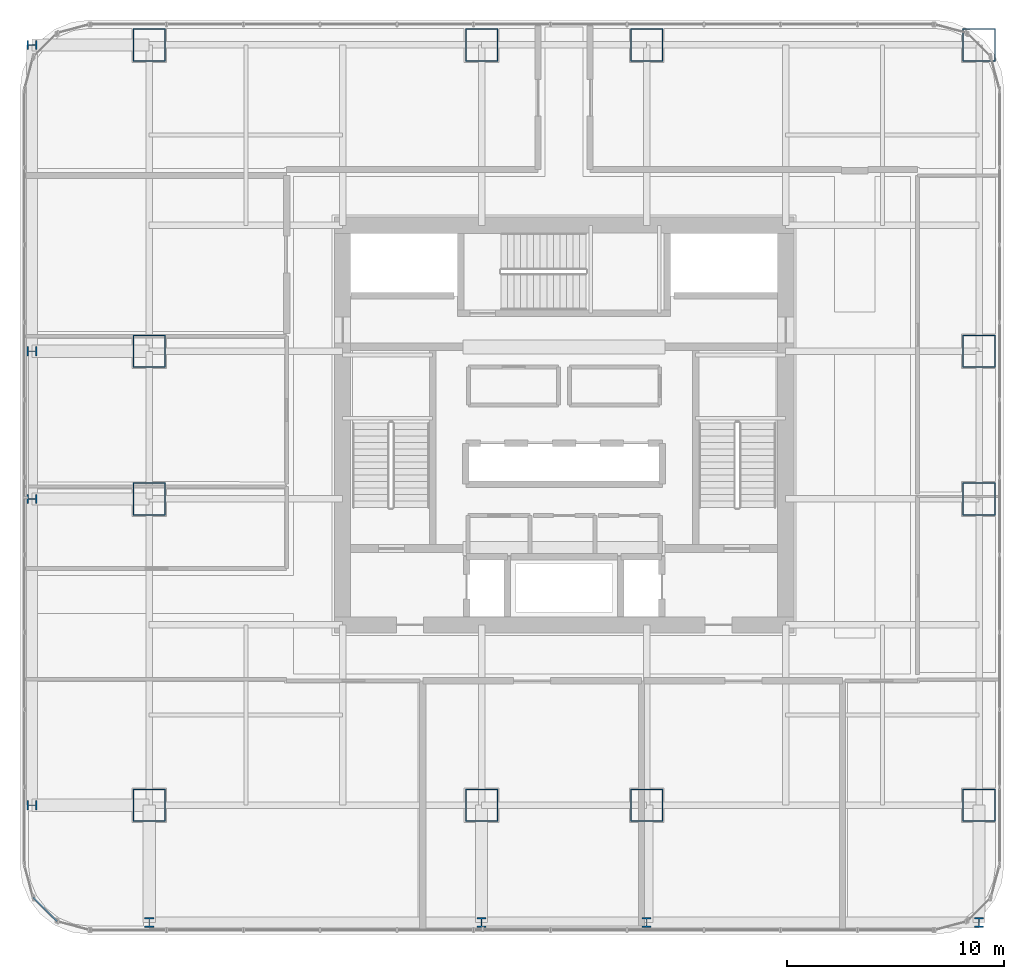
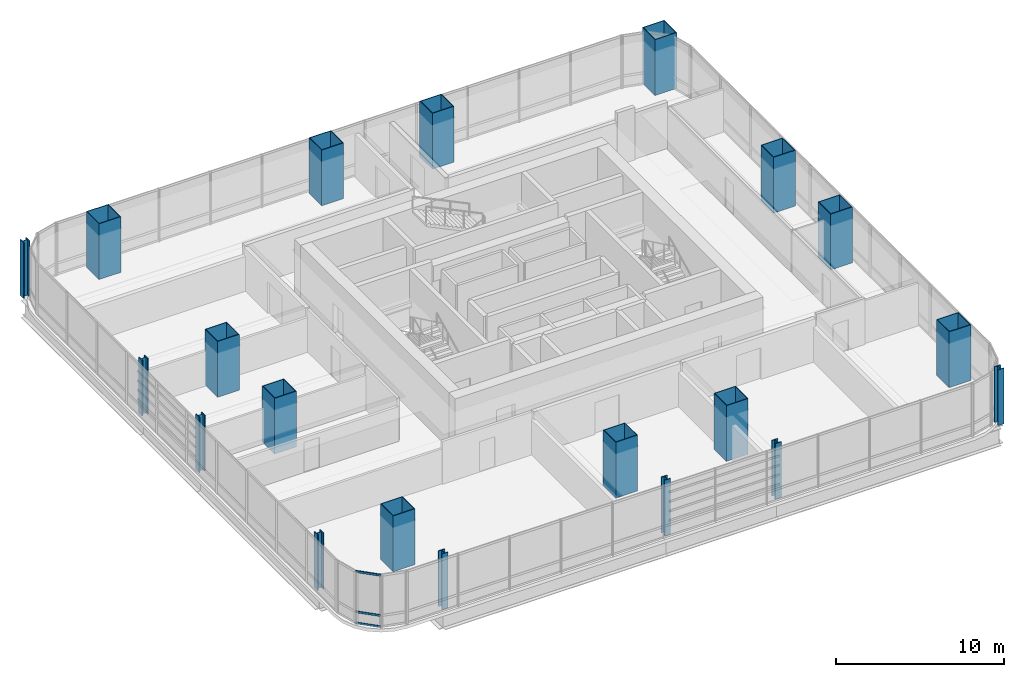
# One storey, part 1 of 36: 20 columns, 3 members, 1 element without a shape of its own.
"""IFC4 building model written with IfcOpenShell, lengths in metres."""

import ifcopenshell
import ifcopenshell.guid

model = None  # the IFC model being written
_history = None  # IfcOwnerHistory: only IFC2X3 demands one
_inside = {}  # id of a spatial element -> (the spatial element, [elements in it])
_under = {}  # id of a project, library or spatial element -> (it, [spatial elements below it])
_declared = {}  # id of a project -> (the project, [libraries it declares])
_typed = {}  # id of a type object -> (the type object, [elements of that type])
_made_of = {}  # id of a material, layer set ... -> (it, [elements and type objects made of it])


def new_model(schema):
    """Start an empty IFC model of exactly this schema.

    Asked for "IFC4X3", IfcOpenShell would pick the latest addendum, in which some entities
    have other attributes; the version numbers below select the first issue.
    IFC2X3 requires an IfcOwnerHistory on every rooted entity: one is made here for all.
    """
    global model, _history
    if schema == "IFC4X3":
        model = ifcopenshell.file(schema_version=(4, 3, 0, 0))
    else:
        model = ifcopenshell.file(schema=schema)
    _inside.clear()
    _under.clear()
    _declared.clear()
    _typed.clear()
    _made_of.clear()
    _history = None
    if model.schema == "IFC2X3":
        org = make("IfcOrganization", Name="unknown")
        user = make(
            "IfcPersonAndOrganization",
            ThePerson=make("IfcPerson", FamilyName="unknown"),
            TheOrganization=org,
        )
        app = make(
            "IfcApplication",
            ApplicationDeveloper=org,
            Version="unknown",
            ApplicationFullName="unknown",
            ApplicationIdentifier="unknown",
        )
        _history = make(
            "IfcOwnerHistory",
            OwningUser=user,
            OwningApplication=app,
            ChangeAction="ADDED",
            CreationDate=0,
        )
    return model


def make(cls, **values):
    """One entity of the class cls with the attributes given. An attribute that is None is left unset."""
    return model.create_entity(
        cls, **{name: value for name, value in values.items() if value is not None}
    )


def rooted(cls, **values):
    """An entity with a GlobalId (a new one), such as an element, a storey or a relation."""
    return make(cls, GlobalId=ifcopenshell.guid.new(), OwnerHistory=_history, **values)


def si_unit(unit_type, name, prefix=None):
    """IfcSIUnit, for example si_unit("LENGTHUNIT", "METRE", prefix="MILLI")."""
    return make("IfcSIUnit", UnitType=unit_type, Prefix=prefix, Name=name)


def assignment(units):
    """IfcUnitAssignment: the units of a project."""
    return None if units is None else make("IfcUnitAssignment", Units=units)


def point(xyz):
    """IfcCartesianPoint."""
    return None if xyz is None else make("IfcCartesianPoint", Coordinates=xyz)


def direction(xyz):
    """IfcDirection."""
    return None if xyz is None else make("IfcDirection", DirectionRatios=xyz)


def frame(location, z_axis=None, x_axis=None):
    """IfcAxis2Placement3D, a coordinate frame: its origin and axes. An axis left out is left unset."""
    return make(
        "IfcAxis2Placement3D",
        Location=point(location),
        Axis=direction(z_axis),
        RefDirection=direction(x_axis),
    )


def frame_2d(location, x_axis=None):
    """IfcAxis2Placement2D, a coordinate frame in the plane: its origin and x axis."""
    return make(
        "IfcAxis2Placement2D", Location=point(location), RefDirection=direction(x_axis)
    )


def origin():
    """The frame at (0, 0, 0) with its axes left unset."""
    return frame((0.0, 0.0, 0.0))


def origin_2d():
    """The frame at (0, 0) in the plane with its x axis left unset."""
    return frame_2d((0.0, 0.0))


def place(relative_to, where):
    """IfcLocalPlacement: puts the frame where relative to a parent placement (None: the world)."""
    return make(
        "IfcLocalPlacement", PlacementRelTo=relative_to, RelativePlacement=where
    )


def context(
    kind, dimensions, precision=None, world=None, true_north=None, identifier=None
):
    """IfcGeometricRepresentationContext, for example the 3D "Model" context."""
    return make(
        "IfcGeometricRepresentationContext",
        ContextIdentifier=identifier,
        ContextType=kind,
        CoordinateSpaceDimension=dimensions,
        Precision=precision,
        WorldCoordinateSystem=world,
        TrueNorth=true_north,
    )


def subcontext(parent, identifier, kind, view, scale=None):
    """IfcGeometricRepresentationSubContext, for example "Body" below "Model"."""
    return make(
        "IfcGeometricRepresentationSubContext",
        ContextIdentifier=identifier,
        ContextType=kind,
        ParentContext=parent,
        TargetScale=scale,
        TargetView=view,
    )


def project(units=None, contexts=None):
    """IfcProject with its units and contexts."""
    return rooted(
        "IfcProject",
        Name="project",
        RepresentationContexts=contexts,
        UnitsInContext=assignment(units),
    )


def spatial(cls, under=None, at=None, **own):
    """A site, building, storey or space (cls), placed at a placement, below another one or the project."""
    s = rooted(cls, ObjectPlacement=at, **own)
    if under is not None:
        _under.setdefault(under.id(), (under, []))[1].append(s)
    return s


def profile(cls, at=None, kind="AREA", **sizes):
    """A parametric profile (cls). Its sizes go by their IFC names, for example OverallWidth=200.0."""
    return make(cls, ProfileType=kind, Position=at, **sizes)


def hollow_rectangle(**sizes):
    """IfcRectangleHollowProfileDef."""
    return profile("IfcRectangleHollowProfileDef", **sizes)


def i_section(**sizes):
    """IfcIShapeProfileDef."""
    return profile("IfcIShapeProfileDef", **sizes)


def extrude(swept, where, along, depth):
    """IfcExtrudedAreaSolid: the profile swept, set in the frame where, extruded along a direction by depth."""
    return make(
        "IfcExtrudedAreaSolid",
        SweptArea=swept,
        Position=where,
        ExtrudedDirection=direction(along),
        Depth=depth,
    )


def shape(context_of_items, identifier, shape_type, items):
    """IfcShapeRepresentation: the items that make up one representation, for example the "Body"."""
    return make(
        "IfcShapeRepresentation",
        ContextOfItems=context_of_items,
        RepresentationIdentifier=identifier,
        RepresentationType=shape_type,
        Items=items,
    )


def material(Name=None, Category=None):
    """IfcMaterial."""
    return make("IfcMaterial", Name=Name, Category=Category)


def material_profile(
    of_material, cross_section, Name=None, Category=None, Priority=None
):
    """IfcMaterialProfile: a cross section and its material."""
    return make(
        "IfcMaterialProfile",
        Name=Name,
        Material=of_material,
        Profile=cross_section,
        Priority=Priority,
        Category=Category,
    )


def profile_set(profiles, Name=None, composite=None):
    """IfcMaterialProfileSet."""
    return make(
        "IfcMaterialProfileSet",
        Name=Name,
        MaterialProfiles=profiles,
        CompositeProfile=composite,
    )


def made_of(thing, what):
    """Note that an element or type object is made of a material, layer set ...; save() writes the relation."""
    if what is not None:
        _made_of.setdefault(what.id(), (what, []))[1].append(thing)
    return thing


def type_object(cls, material=None, **own):
    """A type object (cls), such as IfcWallType, which elements share."""
    return made_of(rooted(cls, **own), material)


def element(
    cls,
    number,
    at=None,
    inside=None,
    cuts=None,
    type_object=None,
    material=None,
    context=None,
    identifier="Body",
    shape_type=None,
    held_by="IfcProductDefinitionShape",
    body=None,
    shapes=None,
    **own,
):
    """One element of the class cls, such as IfcWall. Its Tag is "e" and its number.

    at: its placement. inside: the storey or other place that contains it. cuts: it is an
    opening in that element (IfcRelVoidsElement). A single representation is given by context,
    identifier, shape_type and body (its items); several are given by shapes. held_by: the class
    of the entity that holds the representations. save() writes the other relations.
    """
    e = rooted(cls, Tag="e%d" % number, ObjectPlacement=at, **own)
    if body is not None:
        shapes = [shape(context, identifier, shape_type, body)]
    if shapes is not None:
        e.Representation = make(held_by, Representations=shapes)
    if inside is not None:
        _inside.setdefault(inside.id(), (inside, []))[1].append(e)
    if cuts is not None:
        rooted(
            "IfcRelVoidsElement", RelatingBuildingElement=cuts, RelatedOpeningElement=e
        )
    if type_object is not None:
        _typed.setdefault(type_object.id(), (type_object, []))[1].append(e)
    return made_of(e, material)


def aggregate(whole, parts):
    """IfcRelAggregates: a whole, such as a stair, and the parts it consists of."""
    return rooted("IfcRelAggregates", RelatingObject=whole, RelatedObjects=parts)


def save(model, path):
    """Write the relations noted so far, then the file.

    IfcRelAggregates (storeys below a building ...), IfcRelContainedInSpatialStructure (elements
    in a storey), IfcRelDefinesByType, IfcRelAssociatesMaterial and IfcRelDeclares: one each for
    every whole, place, type object, material and project.
    """
    for whole, parts in _under.values():
        aggregate(whole, parts)
    for where, things in _inside.values():
        rooted(
            "IfcRelContainedInSpatialStructure",
            RelatedElements=things,
            RelatingStructure=where,
        )
    for kind, things in _typed.values():
        rooted("IfcRelDefinesByType", RelatedObjects=things, RelatingType=kind)
    for what, things in _made_of.values():
        rooted("IfcRelAssociatesMaterial", RelatedObjects=things, RelatingMaterial=what)
    for by, libraries in _declared.values():
        rooted("IfcRelDeclares", RelatingContext=by, RelatedDefinitions=libraries)
    model.write(path)


model = new_model("IFC4")

# Units and contexts
model_context = context("Model", 3, precision=1e-05, world=origin(), true_north=direction((0.0, 1.0)))
body_context = subcontext(model_context, "Body", "Model", "MODEL_VIEW")
ifc_project = project(units=[si_unit("LENGTHUNIT", "METRE"), si_unit("AREAUNIT", "SQUARE_METRE"), si_unit("VOLUMEUNIT", "CUBIC_METRE"), si_unit("PLANEANGLEUNIT", "RADIAN"), si_unit("MASSUNIT", "GRAM", prefix="KILO")], contexts=[model_context])

# Site, building, storey
site_placement = place(None, origin())
site = spatial("IfcSite", under=ifc_project, at=site_placement, CompositionType="ELEMENT")
building_placement = place(site_placement, origin())
building = spatial("IfcBuilding", under=site, at=building_placement, Name="Punatoya Terracotta Tower", CompositionType="ELEMENT")
storey_placement = place(building_placement, frame((0.0, 0.0, 48.449951171875)))
storey = spatial("IfcBuildingStorey", under=building, at=storey_placement, Name="L10", CompositionType="ELEMENT", Elevation=48.449951171875)

# Columns
ifc_material_1 = material(Name="Steel S460", Category="steel")
ifc_material_profile_1 = material_profile(ifc_material_1, i_section(OverallWidth=0.416015625, OverallDepth=0.446044921875, WebThickness=0.0390625, FlangeThickness=0.06201171875, FilletRadius=0.01806640625, at=origin_2d()))
ifc_profile_set_1 = profile_set([ifc_material_profile_1], Name="Steel S460")
column_type_1 = type_object("IfcColumnType", Name="COL-EX-M1", PredefinedType="COLUMN", material=ifc_profile_set_1)
for number, where, z_axis, x_axis, name in (
    (1, (-19.10009765625, -22.89990234375, 0.0), (0.0, 0.0, 1.0), (1.0, 0.0, 0.0), "L10 Exoskeleton Perimeter Column S1"),
    (2, (-3.800048828125, -22.89990234375, 0.0), (0.0, 0.0, 1.0), (1.0, 0.0, 0.0), "L10 Exoskeleton Perimeter Column S2"),
    (3, (3.800048828125, -22.89990234375, 0.0), (0.0, 0.0, 1.0), (1.0, 0.0, 0.0), "L10 Exoskeleton Perimeter Column S3"),
    (4, (19.10009765625, -22.89990234375, 0.0), (0.0, 0.0, 1.0), (1.0, 0.0, 0.0), "L10 Exoskeleton Perimeter Column S4"),
    (5, (-24.5, -17.5, 0.0), (0.0, 0.0, 1.0), (0.0, 1.0, 0.0), "L10 Exoskeleton Perimeter Column W1"),
    (6, (-24.5, -3.39990234375, 0.0), (0.0, 0.0, 1.0), (0.0, 1.0, 0.0), "L10 Exoskeleton Perimeter Column W2"),
    (7, (-24.5, 3.39990234375, 0.0), (0.0, 0.0, 1.0), (0.0, 1.0, 0.0), "L10 Exoskeleton Perimeter Column W3"),
    (8, (-24.5, 17.5, 0.0), (0.0, 0.0, 1.0), (0.0, 1.0, 0.0), "L10 Exoskeleton Perimeter Column W4"),
):
    element("IfcColumn", number, at=place(storey_placement, frame(where, z_axis=z_axis, x_axis=x_axis)), inside=storey, type_object=column_type_1, Name=name, PredefinedType="COLUMN", context=body_context, shape_type="SweptSolid", body=[
        extrude(i_section(OverallWidth=0.416015625, OverallDepth=0.446044921875, WebThickness=0.0390625, FlangeThickness=0.06201171875, FilletRadius=0.01806640625, at=origin_2d()), origin(), (0.0, 0.0, 1.0), 4.048095703125),
    ])
ifc_material_profile_2 = material_profile(ifc_material_1, hollow_rectangle(XDim=1.5, YDim=1.5, WallThickness=0.044921875, at=origin_2d()))
ifc_profile_set_2 = profile_set([ifc_material_profile_2], Name="Steel S460")
column_type_2 = type_object("IfcColumnType", Name="COL-MC-Z1", PredefinedType="COLUMN", material=ifc_profile_set_2)
for number, where, z_axis, x_axis, name in (
    (9, (-19.10009765625, -17.5, 0.0), (0.0, 0.0, 1.0), (1.0, 0.0, 0.0), "L10 Composite Mega-Column MC-01 (3-B)"),
    (10, (-3.800048828125, -17.5, 0.0), (0.0, 0.0, 1.0), (1.0, 0.0, 0.0), "L10 Composite Mega-Column MC-02 (5-B)"),
    (11, (3.800048828125, -17.5, 0.0), (0.0, 0.0, 1.0), (1.0, 0.0, 0.0), "L10 Composite Mega-Column MC-03 (7-B)"),
    (12, (19.10009765625, -17.5, 0.0), (0.0, 0.0, 1.0), (1.0, 0.0, 0.0), "L10 Composite Mega-Column MC-04 (9-B)"),
    (13, (19.10009765625, -3.39990234375, 0.0), (0.0, 0.0, 1.0), (1.0, 0.0, 0.0), "L10 Composite Mega-Column MC-05 (9-D)"),
    (14, (19.10009765625, 3.39990234375, 0.0), (0.0, 0.0, 1.0), (1.0, 0.0, 0.0), "L10 Composite Mega-Column MC-06 (9-E)"),
    (15, (19.10009765625, 17.5, 0.0), (0.0, 0.0, 1.0), (1.0, 0.0, 0.0), "L10 Composite Mega-Column MC-07 (9-G)"),
    (16, (3.800048828125, 17.5, 0.0), (0.0, 0.0, 1.0), (1.0, 0.0, 0.0), "L10 Composite Mega-Column MC-08 (7-G)"),
    (17, (-3.800048828125, 17.5, 0.0), (0.0, 0.0, 1.0), (1.0, 0.0, 0.0), "L10 Composite Mega-Column MC-09 (5-G)"),
    (18, (-19.10009765625, 17.5, 0.0), (0.0, 0.0, 1.0), (1.0, 0.0, 0.0), "L10 Composite Mega-Column MC-10 (3-G)"),
    (19, (-19.10009765625, 3.39990234375, 0.0), (0.0, 0.0, 1.0), (1.0, 0.0, 0.0), "L10 Composite Mega-Column MC-11 (3-E)"),
    (20, (-19.10009765625, -3.39990234375, 0.0), (0.0, 0.0, 1.0), (1.0, 0.0, 0.0), "L10 Composite Mega-Column MC-12 (3-D)"),
):
    element("IfcColumn", number, at=place(storey_placement, frame(where, z_axis=z_axis, x_axis=x_axis)), inside=storey, type_object=column_type_2, Name=name, PredefinedType="COLUMN", context=body_context, shape_type="SweptSolid", body=[
        extrude(hollow_rectangle(XDim=1.5, YDim=1.5, WallThickness=0.044921875, at=origin_2d()), origin(), (0.0, 0.0, 1.0), 4.050048828125),
    ])

# Curtain wall, members
ifc_material_2 = material(Name="Aluminium 6063-T6 + Double Low-E Glass", Category="aluminium")
curtain_wall_type = type_object("IfcCurtainWallType", Name="CW-M1", PredefinedType="NOTDEFINED", material=ifc_material_2)
curtain_wall_placement = place(storey_placement, origin())
curtain_wall = element("IfcCurtainWall", 21, at=curtain_wall_placement, inside=storey, type_object=curtain_wall_type, Name="L10 Curtain Wall CW-L10-CRN15", PredefinedType="NOTDEFINED")
ifc_material_3 = material(Name="Aluminium 6063-T6", Category="aluminium")
ifc_material_profile_3 = material_profile(ifc_material_3, hollow_rectangle(XDim=0.068115234375, YDim=0.14990234375, WallThickness=0.00390625, at=origin_2d()))
ifc_profile_set_3 = profile_set([ifc_material_profile_3], Name="Aluminium 6063-T6")
member_type = type_object("IfcMemberType", Name="CW-TRN-TYP", PredefinedType="USERDEFINED", material=ifc_profile_set_3)
member_1_placement = place(storey_placement, frame((-24.446533203125, -21.7490234375, 0.0400390625), z_axis=(0.707028130747, -0.707185422879, 0.0), x_axis=(0.707185422879, 0.707028130747, 0.0)))
member_1 = element("IfcMember", 22, at=member_1_placement, type_object=member_type, Name="CW-L10-CRN15 Transom 1", ObjectType="TRANSOM", PredefinedType="USERDEFINED", context=body_context, shape_type="SweptSolid", body=[
    extrude(hollow_rectangle(XDim=0.068115234375, YDim=0.14990234375, WallThickness=0.00390625, at=origin_2d()), origin(), (0.0, 0.0, 1.0), 1.55224609375),
])
member_2_placement = place(storey_placement, frame((-24.446533203125, -21.7490234375, 0.85009765625), z_axis=(0.707028130747, -0.707185422879, 0.0), x_axis=(0.707185422879, 0.707028130747, 0.0)))
member_2 = element("IfcMember", 23, at=member_2_placement, type_object=member_type, Name="CW-L10-CRN15 Transom 2", ObjectType="TRANSOM", PredefinedType="USERDEFINED", context=body_context, shape_type="SweptSolid", body=[
    extrude(hollow_rectangle(XDim=0.068115234375, YDim=0.14990234375, WallThickness=0.00390625, at=origin_2d()), origin(), (0.0, 0.0, 1.0), 1.55224609375),
])
member_3_placement = place(storey_placement, frame((-24.446533203125, -21.7490234375, 3.77001953125), z_axis=(0.707028130747, -0.707185422879, 0.0), x_axis=(0.707185422879, 0.707028130747, 0.0)))
member_3 = element("IfcMember", 24, at=member_3_placement, type_object=member_type, Name="CW-L10-CRN15 Transom 3", ObjectType="TRANSOM", PredefinedType="USERDEFINED", context=body_context, shape_type="SweptSolid", body=[
    extrude(hollow_rectangle(XDim=0.068115234375, YDim=0.14990234375, WallThickness=0.00390625, at=origin_2d()), origin(), (0.0, 0.0, 1.0), 1.55224609375),
])
aggregate(curtain_wall, [member_1, member_2, member_3])

save(model, "model.ifc")
